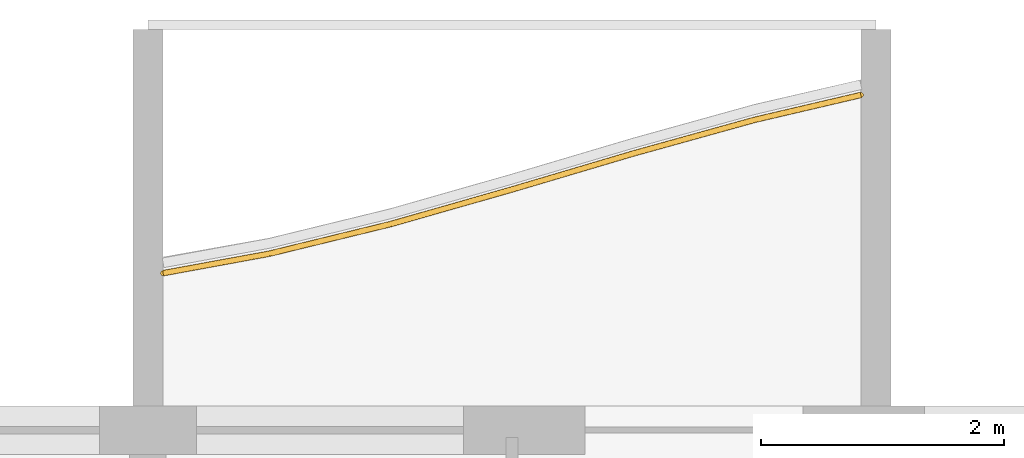
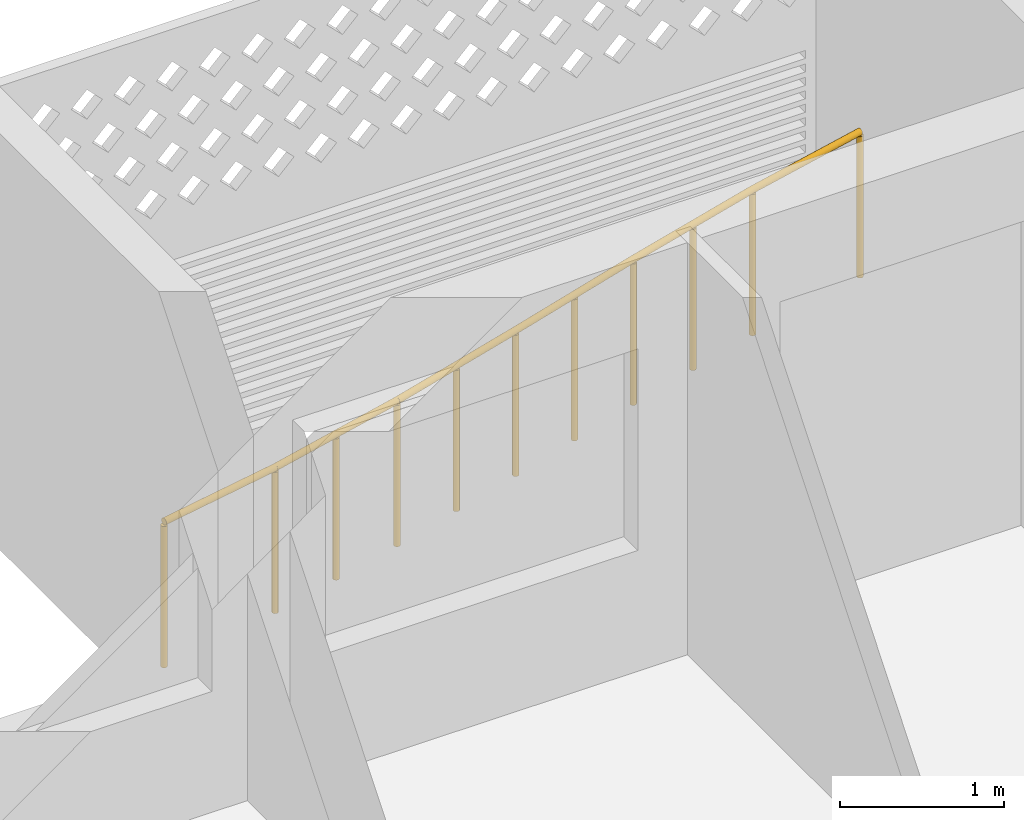
# One storey, part 27 of 32: 1 railing.
"""IFC4 building model written with IfcOpenShell, lengths in metres."""

from ifc_helpers import new_model, si_unit, direction, frame, origin, origin_2d, place, context, subcontext, project, spatial, circle, extrude, material, type_object, element, save


model = new_model("IFC4")

# Units and contexts
model_context = context("Model", 3, precision=1e-05, world=origin(), true_north=direction((0.0, 1.0)))
body_context = subcontext(model_context, "Body", "Model", "MODEL_VIEW")
ifc_project = project(units=[si_unit("LENGTHUNIT", "METRE"), si_unit("AREAUNIT", "SQUARE_METRE"), si_unit("VOLUMEUNIT", "CUBIC_METRE"), si_unit("PLANEANGLEUNIT", "RADIAN"), si_unit("MASSUNIT", "GRAM", prefix="KILO")], contexts=[model_context])

# Site, building, storey
site_placement = place(None, origin())
site = spatial("IfcSite", under=ifc_project, at=site_placement, CompositionType="ELEMENT")
building_placement = place(site_placement, origin())
building = spatial("IfcBuilding", under=site, at=building_placement, Name="Poui Terraces", CompositionType="ELEMENT")
storey_placement = place(building_placement, frame((0.0, 0.0, 152.10009765625)))
storey = spatial("IfcBuildingStorey", under=building, at=storey_placement, Name="L42", CompositionType="ELEMENT", Elevation=152.10009765625)

# Railing
ifc_material = material(Name="Painted steel fretwork", Category="steel")
railing_type = type_object("IfcRailingType", Name="BALCONY GUARD 1100", PredefinedType="GUARDRAIL", material=ifc_material)
railing_placement = place(storey_placement, frame((60.125, 43.69384765625, 0.0)))
element("IfcRailing", 1, at=railing_placement, inside=storey, type_object=railing_type, Name="BALCONY GUARD", PredefinedType="GUARDRAIL", context=body_context, shape_type="SweptSolid", body=[
    extrude(circle(Radius=0.02392578125, at=origin_2d()), frame((0.0, 0.0, 1.076171875), z_axis=(0.983609802465, 0.180310167472, 0.0), x_axis=(-0.180310167472, 0.983609802465, 0.0)), (0.0, 0.0, 1.0), 0.8896484375),
    extrude(circle(Radius=0.02392578125, at=origin_2d()), frame((0.875, 0.160400390625, 1.076171875), z_axis=(0.971467046504, 0.2371745719, 0.0), x_axis=(-0.2371745719, 0.971467046504, 0.0)), (0.0, 0.0, 1.0), 1.029296875),
    extrude(circle(Radius=0.02392578125, at=origin_2d()), frame((1.875, 0.404541015625, 1.076171875), z_axis=(0.961665574586, 0.274224949003, 0.0), x_axis=(-0.274224949003, 0.961665574586, 0.0)), (0.0, 0.0, 1.0), 1.039794921875),
    extrude(circle(Radius=0.02392578125, at=origin_2d()), frame((2.875, 0.689697265625, 1.076171875), z_axis=(0.958774495191, 0.284168026651, 0.0), x_axis=(-0.284168026651, 0.958774495191, 0.0)), (0.0, 0.0, 1.0), 1.04296875),
    extrude(circle(Radius=0.02392578125, at=origin_2d()), frame((3.875, 0.986083984375, 1.076171875), z_axis=(0.963565078544, 0.267473997633, 0.0), x_axis=(-0.267473997633, 0.963565078544, 0.0)), (0.0, 0.0, 1.0), 1.037841796875),
    extrude(circle(Radius=0.02392578125, at=origin_2d()), frame((4.875, 1.263671875, 1.076171875), z_axis=(0.973736897475, 0.227676205381, 0.0), x_axis=(-0.227676205381, 0.973736897475, 0.0)), (0.0, 0.0, 1.0), 0.898681640625),
    extrude(circle(Radius=0.02099609375, at=origin_2d()), origin(), (0.0, 0.0, 1.0), 1.052001953125),
    extrude(circle(Radius=0.02099609375, at=origin_2d()), frame((0.875, 0.160400390625, 0.0)), (0.0, 0.0, 1.0), 1.052001953125),
    extrude(circle(Radius=0.02099609375, at=origin_2d()), frame((1.375, 0.282470703125, 0.0)), (0.0, 0.0, 1.0), 1.052001953125),
    extrude(circle(Radius=0.02099609375, at=origin_2d()), frame((1.875, 0.404541015625, 0.0)), (0.0, 0.0, 1.0), 1.052001953125),
    extrude(circle(Radius=0.02099609375, at=origin_2d()), frame((2.375, 0.547119140625, 0.0)), (0.0, 0.0, 1.0), 1.052001953125),
    extrude(circle(Radius=0.02099609375, at=origin_2d()), frame((2.875, 0.689697265625, 0.0)), (0.0, 0.0, 1.0), 1.052001953125),
    extrude(circle(Radius=0.02099609375, at=origin_2d()), frame((3.375, 0.837890625, 0.0)), (0.0, 0.0, 1.0), 1.052001953125),
    extrude(circle(Radius=0.02099609375, at=origin_2d()), frame((3.875, 0.986083984375, 0.0)), (0.0, 0.0, 1.0), 1.052001953125),
    extrude(circle(Radius=0.02099609375, at=origin_2d()), frame((4.375, 1.125, 0.0)), (0.0, 0.0, 1.0), 1.052001953125),
    extrude(circle(Radius=0.02099609375, at=origin_2d()), frame((4.875, 1.263671875, 0.0)), (0.0, 0.0, 1.0), 1.052001953125),
    extrude(circle(Radius=0.02099609375, at=origin_2d()), frame((5.75, 1.46826171875, 0.0)), (0.0, 0.0, 1.0), 1.052001953125),
])

save(model, "model.ifc")
